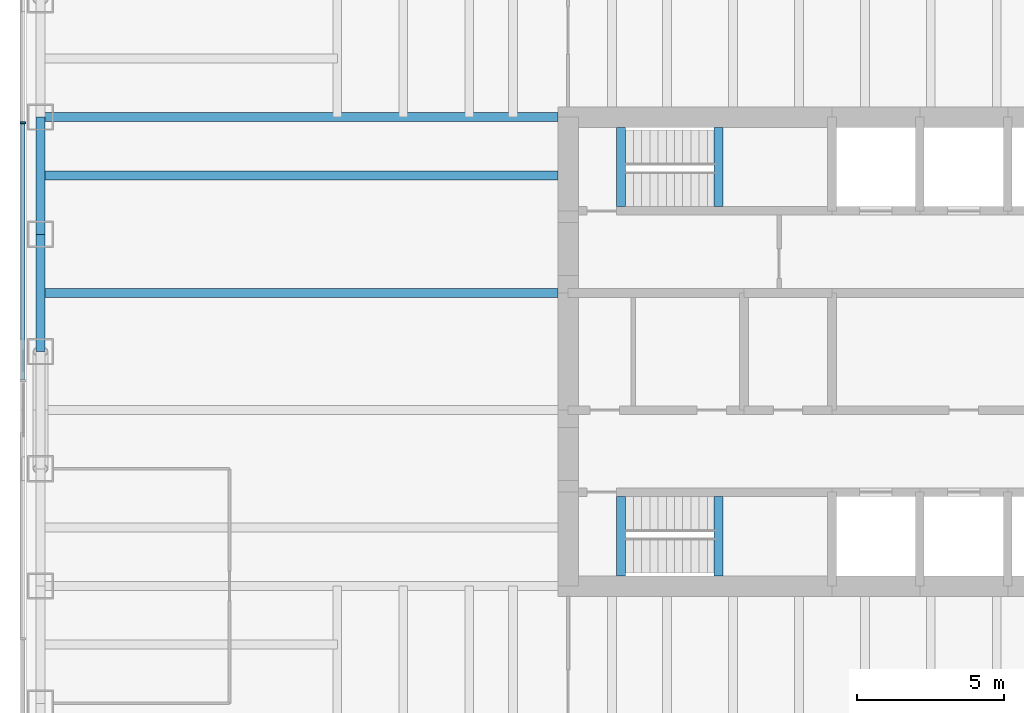
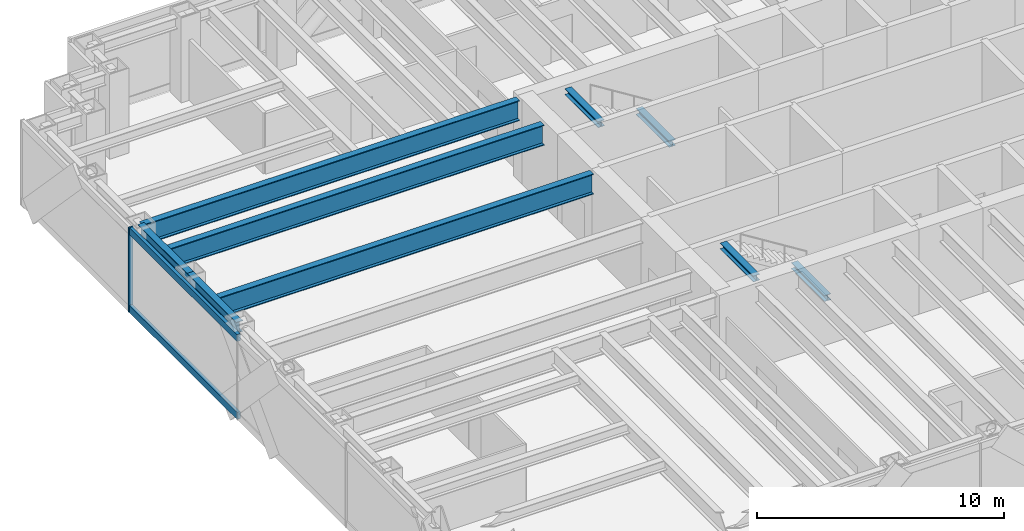
# One storey, part 3 of 15: 9 beams, 3 members, 1 element without a shape of its own.
"""IFC4 building model written with IfcOpenShell, lengths in metres."""

import ifcopenshell
import ifcopenshell.guid

model = None  # the IFC model being written
_history = None  # IfcOwnerHistory: only IFC2X3 demands one
_inside = {}  # id of a spatial element -> (the spatial element, [elements in it])
_under = {}  # id of a project, library or spatial element -> (it, [spatial elements below it])
_declared = {}  # id of a project -> (the project, [libraries it declares])
_typed = {}  # id of a type object -> (the type object, [elements of that type])
_made_of = {}  # id of a material, layer set ... -> (it, [elements and type objects made of it])


def new_model(schema):
    """Start an empty IFC model of exactly this schema.

    Asked for "IFC4X3", IfcOpenShell would pick the latest addendum, in which some entities
    have other attributes; the version numbers below select the first issue.
    IFC2X3 requires an IfcOwnerHistory on every rooted entity: one is made here for all.
    """
    global model, _history
    if schema == "IFC4X3":
        model = ifcopenshell.file(schema_version=(4, 3, 0, 0))
    else:
        model = ifcopenshell.file(schema=schema)
    _inside.clear()
    _under.clear()
    _declared.clear()
    _typed.clear()
    _made_of.clear()
    _history = None
    if model.schema == "IFC2X3":
        org = make("IfcOrganization", Name="unknown")
        user = make(
            "IfcPersonAndOrganization",
            ThePerson=make("IfcPerson", FamilyName="unknown"),
            TheOrganization=org,
        )
        app = make(
            "IfcApplication",
            ApplicationDeveloper=org,
            Version="unknown",
            ApplicationFullName="unknown",
            ApplicationIdentifier="unknown",
        )
        _history = make(
            "IfcOwnerHistory",
            OwningUser=user,
            OwningApplication=app,
            ChangeAction="ADDED",
            CreationDate=0,
        )
    return model


def make(cls, **values):
    """One entity of the class cls with the attributes given. An attribute that is None is left unset."""
    return model.create_entity(
        cls, **{name: value for name, value in values.items() if value is not None}
    )


def rooted(cls, **values):
    """An entity with a GlobalId (a new one), such as an element, a storey or a relation."""
    return make(cls, GlobalId=ifcopenshell.guid.new(), OwnerHistory=_history, **values)


def si_unit(unit_type, name, prefix=None):
    """IfcSIUnit, for example si_unit("LENGTHUNIT", "METRE", prefix="MILLI")."""
    return make("IfcSIUnit", UnitType=unit_type, Prefix=prefix, Name=name)


def assignment(units):
    """IfcUnitAssignment: the units of a project."""
    return None if units is None else make("IfcUnitAssignment", Units=units)


def point(xyz):
    """IfcCartesianPoint."""
    return None if xyz is None else make("IfcCartesianPoint", Coordinates=xyz)


def direction(xyz):
    """IfcDirection."""
    return None if xyz is None else make("IfcDirection", DirectionRatios=xyz)


def frame(location, z_axis=None, x_axis=None):
    """IfcAxis2Placement3D, a coordinate frame: its origin and axes. An axis left out is left unset."""
    return make(
        "IfcAxis2Placement3D",
        Location=point(location),
        Axis=direction(z_axis),
        RefDirection=direction(x_axis),
    )


def frame_2d(location, x_axis=None):
    """IfcAxis2Placement2D, a coordinate frame in the plane: its origin and x axis."""
    return make(
        "IfcAxis2Placement2D", Location=point(location), RefDirection=direction(x_axis)
    )


def origin():
    """The frame at (0, 0, 0) with its axes left unset."""
    return frame((0.0, 0.0, 0.0))


def origin_2d():
    """The frame at (0, 0) in the plane with its x axis left unset."""
    return frame_2d((0.0, 0.0))


def place(relative_to, where):
    """IfcLocalPlacement: puts the frame where relative to a parent placement (None: the world)."""
    return make(
        "IfcLocalPlacement", PlacementRelTo=relative_to, RelativePlacement=where
    )


def context(
    kind, dimensions, precision=None, world=None, true_north=None, identifier=None
):
    """IfcGeometricRepresentationContext, for example the 3D "Model" context."""
    return make(
        "IfcGeometricRepresentationContext",
        ContextIdentifier=identifier,
        ContextType=kind,
        CoordinateSpaceDimension=dimensions,
        Precision=precision,
        WorldCoordinateSystem=world,
        TrueNorth=true_north,
    )


def subcontext(parent, identifier, kind, view, scale=None):
    """IfcGeometricRepresentationSubContext, for example "Body" below "Model"."""
    return make(
        "IfcGeometricRepresentationSubContext",
        ContextIdentifier=identifier,
        ContextType=kind,
        ParentContext=parent,
        TargetScale=scale,
        TargetView=view,
    )


def project(units=None, contexts=None):
    """IfcProject with its units and contexts."""
    return rooted(
        "IfcProject",
        Name="project",
        RepresentationContexts=contexts,
        UnitsInContext=assignment(units),
    )


def spatial(cls, under=None, at=None, **own):
    """A site, building, storey or space (cls), placed at a placement, below another one or the project."""
    s = rooted(cls, ObjectPlacement=at, **own)
    if under is not None:
        _under.setdefault(under.id(), (under, []))[1].append(s)
    return s


def profile(cls, at=None, kind="AREA", **sizes):
    """A parametric profile (cls). Its sizes go by their IFC names, for example OverallWidth=200.0."""
    return make(cls, ProfileType=kind, Position=at, **sizes)


def rectangle(**sizes):
    """IfcRectangleProfileDef."""
    return profile("IfcRectangleProfileDef", **sizes)


def i_section(**sizes):
    """IfcIShapeProfileDef."""
    return profile("IfcIShapeProfileDef", **sizes)


def extrude(swept, where, along, depth):
    """IfcExtrudedAreaSolid: the profile swept, set in the frame where, extruded along a direction by depth."""
    return make(
        "IfcExtrudedAreaSolid",
        SweptArea=swept,
        Position=where,
        ExtrudedDirection=direction(along),
        Depth=depth,
    )


def shape(context_of_items, identifier, shape_type, items):
    """IfcShapeRepresentation: the items that make up one representation, for example the "Body"."""
    return make(
        "IfcShapeRepresentation",
        ContextOfItems=context_of_items,
        RepresentationIdentifier=identifier,
        RepresentationType=shape_type,
        Items=items,
    )


def material(Name=None, Category=None):
    """IfcMaterial."""
    return make("IfcMaterial", Name=Name, Category=Category)


def material_profile(
    of_material, cross_section, Name=None, Category=None, Priority=None
):
    """IfcMaterialProfile: a cross section and its material."""
    return make(
        "IfcMaterialProfile",
        Name=Name,
        Material=of_material,
        Profile=cross_section,
        Priority=Priority,
        Category=Category,
    )


def profile_set(profiles, Name=None, composite=None):
    """IfcMaterialProfileSet."""
    return make(
        "IfcMaterialProfileSet",
        Name=Name,
        MaterialProfiles=profiles,
        CompositeProfile=composite,
    )


def made_of(thing, what):
    """Note that an element or type object is made of a material, layer set ...; save() writes the relation."""
    if what is not None:
        _made_of.setdefault(what.id(), (what, []))[1].append(thing)
    return thing


def type_object(cls, material=None, **own):
    """A type object (cls), such as IfcWallType, which elements share."""
    return made_of(rooted(cls, **own), material)


def element(
    cls,
    number,
    at=None,
    inside=None,
    cuts=None,
    type_object=None,
    material=None,
    context=None,
    identifier="Body",
    shape_type=None,
    held_by="IfcProductDefinitionShape",
    body=None,
    shapes=None,
    **own,
):
    """One element of the class cls, such as IfcWall. Its Tag is "e" and its number.

    at: its placement. inside: the storey or other place that contains it. cuts: it is an
    opening in that element (IfcRelVoidsElement). A single representation is given by context,
    identifier, shape_type and body (its items); several are given by shapes. held_by: the class
    of the entity that holds the representations. save() writes the other relations.
    """
    e = rooted(cls, Tag="e%d" % number, ObjectPlacement=at, **own)
    if body is not None:
        shapes = [shape(context, identifier, shape_type, body)]
    if shapes is not None:
        e.Representation = make(held_by, Representations=shapes)
    if inside is not None:
        _inside.setdefault(inside.id(), (inside, []))[1].append(e)
    if cuts is not None:
        rooted(
            "IfcRelVoidsElement", RelatingBuildingElement=cuts, RelatedOpeningElement=e
        )
    if type_object is not None:
        _typed.setdefault(type_object.id(), (type_object, []))[1].append(e)
    return made_of(e, material)


def aggregate(whole, parts):
    """IfcRelAggregates: a whole, such as a stair, and the parts it consists of."""
    return rooted("IfcRelAggregates", RelatingObject=whole, RelatedObjects=parts)


def save(model, path):
    """Write the relations noted so far, then the file.

    IfcRelAggregates (storeys below a building ...), IfcRelContainedInSpatialStructure (elements
    in a storey), IfcRelDefinesByType, IfcRelAssociatesMaterial and IfcRelDeclares: one each for
    every whole, place, type object, material and project.
    """
    for whole, parts in _under.values():
        aggregate(whole, parts)
    for where, things in _inside.values():
        rooted(
            "IfcRelContainedInSpatialStructure",
            RelatedElements=things,
            RelatingStructure=where,
        )
    for kind, things in _typed.values():
        rooted("IfcRelDefinesByType", RelatedObjects=things, RelatingType=kind)
    for what, things in _made_of.values():
        rooted("IfcRelAssociatesMaterial", RelatedObjects=things, RelatingMaterial=what)
    for by, libraries in _declared.values():
        rooted("IfcRelDeclares", RelatingContext=by, RelatedDefinitions=libraries)
    model.write(path)


model = new_model("IFC4")

# Units and contexts
model_context = context("Model", 3, precision=1e-05, world=origin(), true_north=direction((0.0, 1.0)))
body_context = subcontext(model_context, "Body", "Model", "MODEL_VIEW")
ifc_project = project(units=[si_unit("LENGTHUNIT", "METRE"), si_unit("AREAUNIT", "SQUARE_METRE"), si_unit("VOLUMEUNIT", "CUBIC_METRE"), si_unit("PLANEANGLEUNIT", "RADIAN"), si_unit("MASSUNIT", "GRAM", prefix="KILO")], contexts=[model_context])

# Site, building, storey
site_placement = place(None, origin())
site = spatial("IfcSite", under=ifc_project, at=site_placement, CompositionType="ELEMENT")
building_placement = place(site_placement, origin())
building = spatial("IfcBuilding", under=site, at=building_placement, Name="Rheinbord Bourse Tower", CompositionType="ELEMENT")
storey_placement = place(building_placement, frame((0.0, 0.0, 313.10009765625)))
storey = spatial("IfcBuildingStorey", under=building, at=storey_placement, Name="L71", CompositionType="ELEMENT", Elevation=313.10009765625)

# Curtain wall, members
ifc_material_1 = material(Name="Dark glass and black aluminium", Category="aluminium")
curtain_wall_type = type_object("IfcCurtainWallType", Name="CW3 DARK GLASS CURTAIN WALL", PredefinedType="USERDEFINED", material=ifc_material_1)
curtain_wall_placement = place(storey_placement, origin())
curtain_wall = element("IfcCurtainWall", 1, at=curtain_wall_placement, inside=storey, type_object=curtain_wall_type, Name="Curtain wall CW3 W L71", ObjectType="UNITISED CURTAIN WALL", PredefinedType="USERDEFINED")
ifc_material_2 = material(Name="Black anodised aluminium", Category="aluminium")
ifc_material_profile_1 = material_profile(ifc_material_2, rectangle(XDim=0.199951171875, YDim=0.06494140625, at=origin_2d()), Name="CW3 MULLION 65x200")
ifc_profile_set_1 = profile_set([ifc_material_profile_1], Name="Black anodised aluminium")
member_type_1 = type_object("IfcMemberType", Name="CW3 BLACK MULLION", PredefinedType="MULLION", material=ifc_profile_set_1)
member_1_placement = place(storey_placement, frame((-0.60009765625, 31.800048828125, 0.0), z_axis=(0.0, 0.0, 1.0), x_axis=(1.0, 0.0, 0.0)))
member_1 = element("IfcMember", 2, at=member_1_placement, type_object=member_type_1, Name="CW3 mullion 2", PredefinedType="MULLION", context=body_context, shape_type="SweptSolid", body=[
    extrude(rectangle(XDim=0.199951171875, YDim=0.06494140625, at=origin_2d()), origin(), (0.0, 0.0, 1.0), 4.199951171875),
])
ifc_material_3 = material(Name="Black anodised aluminium", Category="aluminium")
ifc_material_profile_2 = material_profile(ifc_material_3, rectangle(XDim=0.14990234375, YDim=0.35009765625, at=origin_2d()), Name="CW3 TRANSOM 350x150")
ifc_profile_set_2 = profile_set([ifc_material_profile_2], Name="Black anodised aluminium")
member_type_2 = type_object("IfcMemberType", Name="CW3 BLACK TRANSOM", PredefinedType="USERDEFINED", material=ifc_profile_set_2)
member_2_placement = place(storey_placement, frame((-0.60009765625, 31.767578125, 0.1748046875), z_axis=(0.0, -1.0, 0.0), x_axis=(1.0, 0.0, 0.0)))
member_2 = element("IfcMember", 3, at=member_2_placement, type_object=member_type_2, Name="CW3 transom 2.1", ObjectType="TRANSOM", PredefinedType="USERDEFINED", context=body_context, shape_type="SweptSolid", body=[
    extrude(rectangle(XDim=0.14990234375, YDim=0.35009765625, at=origin_2d()), origin(), (0.0, 0.0, 1.0), 8.735107421875),
])
member_3_placement = place(storey_placement, frame((-0.60009765625, 31.767578125, 4.02490234375), z_axis=(0.0, -1.0, 0.0), x_axis=(1.0, 0.0, 0.0)))
member_3 = element("IfcMember", 4, at=member_3_placement, type_object=member_type_2, Name="CW3 transom 2.2", ObjectType="TRANSOM", PredefinedType="USERDEFINED", context=body_context, shape_type="SweptSolid", body=[
    extrude(rectangle(XDim=0.14990234375, YDim=0.35009765625, at=origin_2d()), origin(), (0.0, 0.0, 1.0), 8.735107421875),
])
aggregate(curtain_wall, [member_1, member_2, member_3])

# Beams
ifc_material_4 = material(Name="Steel S460", Category="steel")
ifc_material_profile_3 = material_profile(ifc_material_4, i_section(OverallWidth=0.302001953125, OverallDepth=1.008056640625, WebThickness=0.02099609375, FlangeThickness=0.0400390625, at=origin_2d()), Name="HEM 1000")
ifc_profile_set_3 = profile_set([ifc_material_profile_3], Name="Steel S460")
beam_type_1 = type_object("IfcBeamType", Name="END BEAM HEM 1000", PredefinedType="BEAM", material=ifc_profile_set_3)
for number, where, z_axis, x_axis, name in (
    (5, (0.0, 26.0, 3.535888671875), (1.0, 0.0, 0.0), (0.0, 1.0, 0.0), "End beam west 26 L72"),
    (6, (0.0, 30.0, 3.535888671875), (1.0, 0.0, 0.0), (0.0, 1.0, 0.0), "End beam west 30 L72"),
):
    element("IfcBeam", number, at=place(storey_placement, frame(where, z_axis=z_axis, x_axis=x_axis)), inside=storey, type_object=beam_type_1, Name=name, PredefinedType="BEAM", context=body_context, shape_type="SweptSolid", body=[
        extrude(i_section(OverallWidth=0.302001953125, OverallDepth=1.008056640625, WebThickness=0.02099609375, FlangeThickness=0.0400390625, at=origin_2d()), origin(), (0.0, 0.0, 1.0), 17.64990234375),
    ])
ifc_material_5 = material(Name="Steel S460", Category="steel")
ifc_material_profile_4 = material_profile(ifc_material_5, i_section(OverallWidth=0.302001953125, OverallDepth=1.008056640625, WebThickness=0.02099609375, FlangeThickness=0.0400390625, at=origin_2d()), Name="HEM 1000")
ifc_profile_set_4 = profile_set([ifc_material_profile_4], Name="Steel S460")
beam_type_2 = type_object("IfcBeamType", Name="GIRDER HEM 1000", PredefinedType="BEAM", material=ifc_profile_set_4)
beam_placement = place(storey_placement, frame((0.0, 32.0, 3.535888671875), z_axis=(1.0, 0.0, 0.0), x_axis=(0.0, 1.0, 0.0)))
element("IfcBeam", 7, at=beam_placement, inside=storey, type_object=beam_type_2, Name="Girder west 32 L72", PredefinedType="BEAM", context=body_context, shape_type="SweptSolid", body=[
    extrude(i_section(OverallWidth=0.302001953125, OverallDepth=1.008056640625, WebThickness=0.02099609375, FlangeThickness=0.0400390625, at=origin_2d()), origin(), (0.0, 0.0, 1.0), 17.64990234375),
])
ifc_material_6 = material(Name="Steel S460", Category="steel")
ifc_material_profile_5 = material_profile(ifc_material_6, i_section(OverallWidth=0.300048828125, OverallDepth=0.300048828125, WebThickness=0.010986328125, FlangeThickness=0.01904296875, at=origin_2d()), Name="HEB 300")
ifc_profile_set_5 = profile_set([ifc_material_profile_5], Name="Steel S460")
beam_type_3 = type_object("IfcBeamType", Name="LANDING TRIMMER HEB 300", PredefinedType="BEAM", material=ifc_profile_set_5)
for number, where, z_axis, x_axis, name in (
    (8, (23.1298828125, 16.35009765625, 1.75), (0.0, 1.0, 0.0), (-1.0, 0.0, 0.0), "Landing trimmer ST1 L71"),
    (9, (19.800048828125, 16.35009765625, 3.889892578125), (0.0, 1.0, 0.0), (-1.0, 0.0, 0.0), "Well trimmer ST1 under L72"),
    (10, (23.1298828125, 28.949951171875, 1.75), (0.0, 1.0, 0.0), (-1.0, 0.0, 0.0), "Landing trimmer ST2 L71"),
    (11, (19.800048828125, 28.949951171875, 3.889892578125), (0.0, 1.0, 0.0), (-1.0, 0.0, 0.0), "Well trimmer ST2 under L72"),
):
    element("IfcBeam", number, at=place(storey_placement, frame(where, z_axis=z_axis, x_axis=x_axis)), inside=storey, type_object=beam_type_3, Name=name, PredefinedType="BEAM", context=body_context, shape_type="SweptSolid", body=[
        extrude(i_section(OverallWidth=0.300048828125, OverallDepth=0.300048828125, WebThickness=0.010986328125, FlangeThickness=0.01904296875, at=origin_2d()), origin(), (0.0, 0.0, 1.0), 2.699951171875),
    ])
ifc_material_7 = material(Name="Steel S460", Category="steel")
ifc_material_profile_6 = material_profile(ifc_material_7, i_section(OverallWidth=0.300048828125, OverallDepth=0.550048828125, WebThickness=0.014892578125, FlangeThickness=0.029052734375, at=origin_2d()), Name="HEB 550")
ifc_profile_set_6 = profile_set([ifc_material_profile_6], Name="Steel S460")
beam_type_4 = type_object("IfcBeamType", Name="SPANDREL HEB 550", PredefinedType="SPANDREL", material=ifc_profile_set_6)
for number, where, z_axis, x_axis, name in (
    (12, (0.0, 32.0, 3.764892578125), (0.0, -1.0, 0.0), (1.0, 0.0, 0.0), "Spandrel W-32-W-28 under L72"),
    (13, (0.0, 28.0, 3.764892578125), (0.0, -1.0, 0.0), (1.0, 0.0, 0.0), "Spandrel W-28-W-24 under L72"),
):
    element("IfcBeam", number, at=place(storey_placement, frame(where, z_axis=z_axis, x_axis=x_axis)), inside=storey, type_object=beam_type_4, Name=name, PredefinedType="SPANDREL", context=body_context, shape_type="SweptSolid", body=[
        extrude(i_section(OverallWidth=0.300048828125, OverallDepth=0.550048828125, WebThickness=0.014892578125, FlangeThickness=0.029052734375, at=origin_2d()), origin(), (0.0, 0.0, 1.0), 4.0),
    ])

save(model, "model.ifc")
